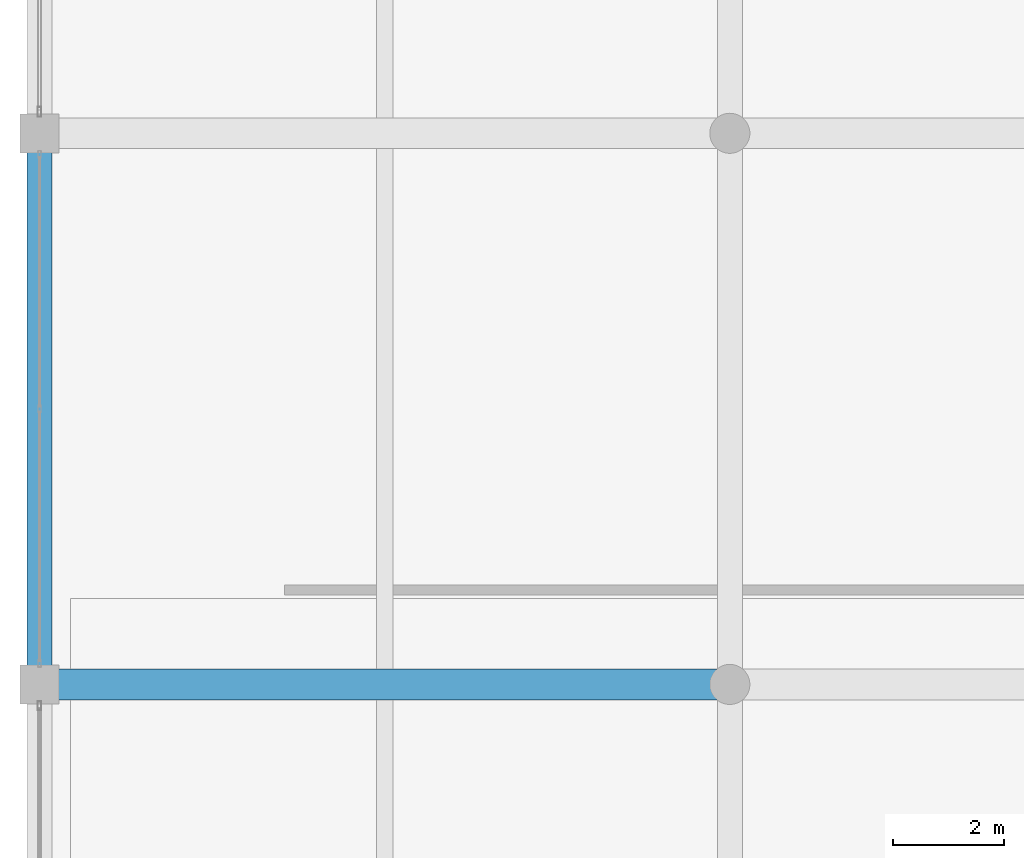
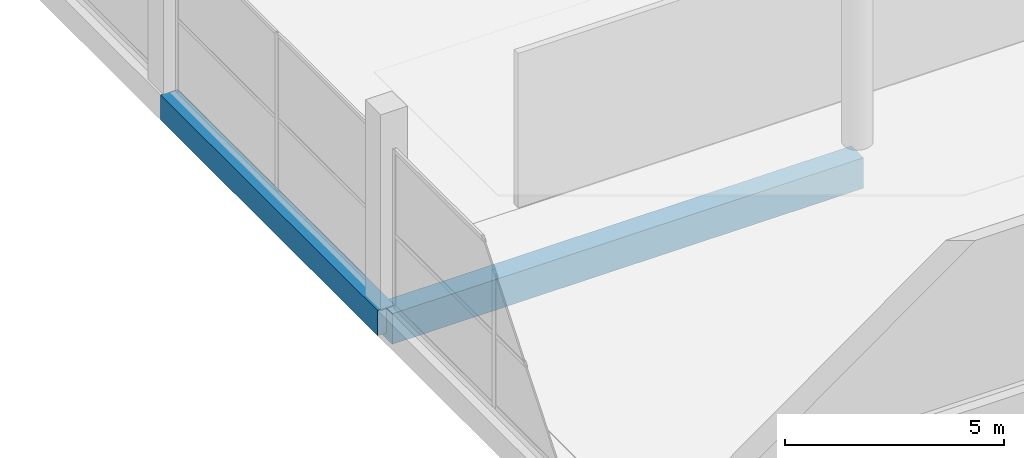
# One storey, part 19 of 74: 2 beams.
"""IFC4 building model written with IfcOpenShell, lengths in metres."""

from ifc_helpers import new_model, si_unit, direction, frame, origin, origin_2d, place, context, subcontext, project, spatial, rectangle, extrude, material, material_profile, profile_set, type_object, element, save


model = new_model("IFC4")

# Units and contexts
model_context = context("Model", 3, precision=1e-05, world=origin(), true_north=direction((0.0, 1.0)))
body_context = subcontext(model_context, "Body", "Model", "MODEL_VIEW")
ifc_project = project(units=[si_unit("LENGTHUNIT", "METRE"), si_unit("AREAUNIT", "SQUARE_METRE"), si_unit("VOLUMEUNIT", "CUBIC_METRE"), si_unit("PLANEANGLEUNIT", "RADIAN"), si_unit("MASSUNIT", "GRAM", prefix="KILO")], contexts=[model_context])

# Site, building, storey
site_placement = place(None, origin())
site = spatial("IfcSite", under=ifc_project, at=site_placement, CompositionType="ELEMENT")
building_placement = place(site_placement, origin())
building = spatial("IfcBuilding", under=site, at=building_placement, Name="Sillaruma Civic Art Gallery", CompositionType="ELEMENT")
storey_placement = place(building_placement, frame((0.0, 0.0, 5.43994140625)))
storey = spatial("IfcBuildingStorey", under=building, at=storey_placement, Name="L01", CompositionType="ELEMENT", Elevation=5.43994140625)

# Beams
ifc_material_1 = material(Name="Concrete H40 (40 MPa)", Category="concrete")
ifc_material_profile_1 = material_profile(ifc_material_1, rectangle(XDim=0.550048828125, YDim=0.85009765625, at=origin_2d()), Name="RCB550x850")
ifc_profile_set_1 = profile_set([ifc_material_profile_1], Name="Concrete H40 (40 MPa)")
beam_type_1 = type_object("IfcBeamType", Name="BM-BEAM-RCB550x850", PredefinedType="BEAM", material=ifc_profile_set_1)
beam_1_placement = place(storey_placement, frame((0.0, 89.10009765625, -0.68505859375), z_axis=(1.0, 0.0, 0.0), x_axis=(0.0, 1.0, 0.0)))
element("IfcBeam", 1, at=beam_1_placement, inside=storey, type_object=beam_type_1, Name="Beam BM-01 (L00:10:A-B)", PredefinedType="BEAM", context=body_context, shape_type="SweptSolid", body=[
    extrude(rectangle(XDim=0.550048828125, YDim=0.85009765625, at=origin_2d()), origin(), (0.0, 0.0, 1.0), 12.39990234375),
])
ifc_material_2 = material(Name="Concrete H35 (35 MPa)", Category="concrete")
ifc_material_profile_2 = material_profile(ifc_material_2, rectangle(XDim=0.449951171875, YDim=0.699951171875, at=origin_2d()), Name="RCB450x700")
ifc_profile_set_2 = profile_set([ifc_material_profile_2], Name="Concrete H35 (35 MPa)")
beam_type_2 = type_object("IfcBeamType", Name="BM-SPANDREL-RCB450x700", PredefinedType="SPANDREL", material=ifc_profile_set_2)
beam_2_placement = place(storey_placement, frame((0.0, 89.10009765625, -0.60986328125), z_axis=(0.0, 1.0, 0.0), x_axis=(-1.0, 0.0, 0.0)))
element("IfcBeam", 2, at=beam_2_placement, inside=storey, type_object=beam_type_2, Name="Beam BS-03 (L00:A:10-11)", PredefinedType="SPANDREL", context=body_context, shape_type="SweptSolid", body=[
    extrude(rectangle(XDim=0.449951171875, YDim=0.699951171875, at=origin_2d()), origin(), (0.0, 0.0, 1.0), 9.89990234375),
])

save(model, "model.ifc")
